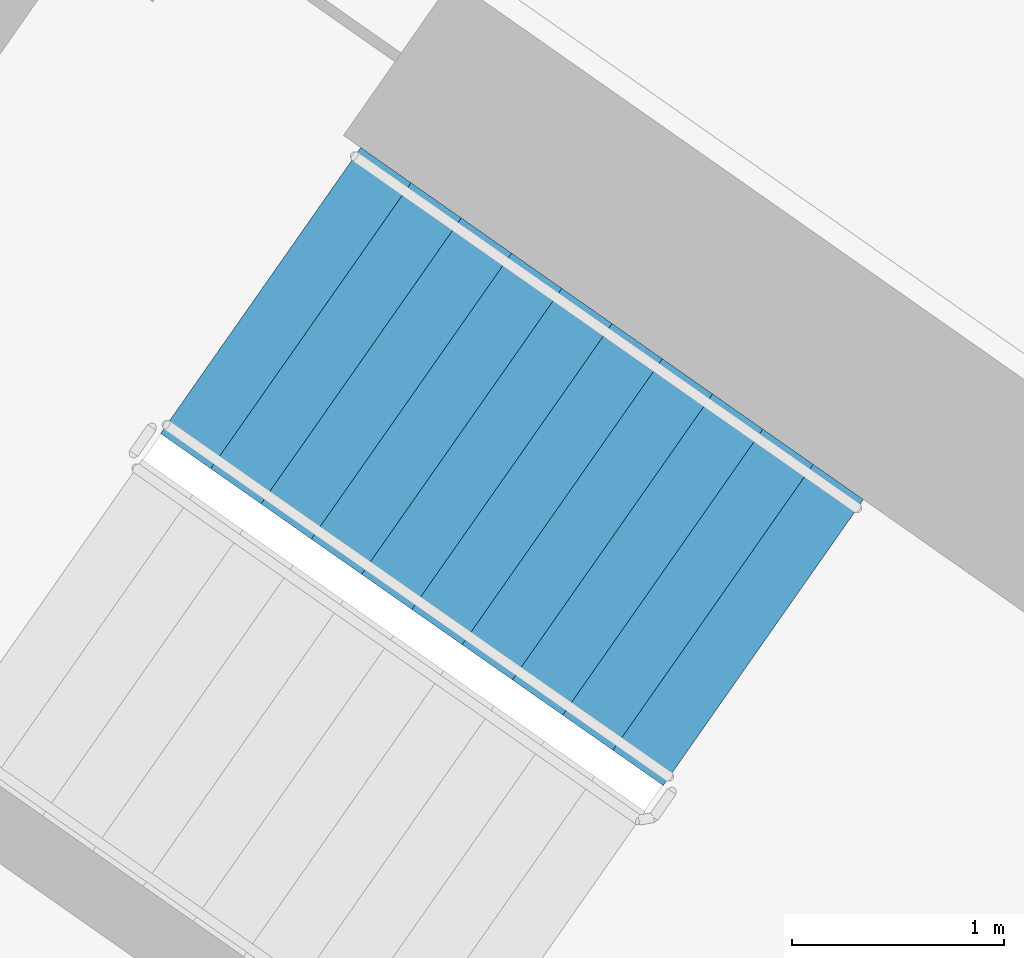
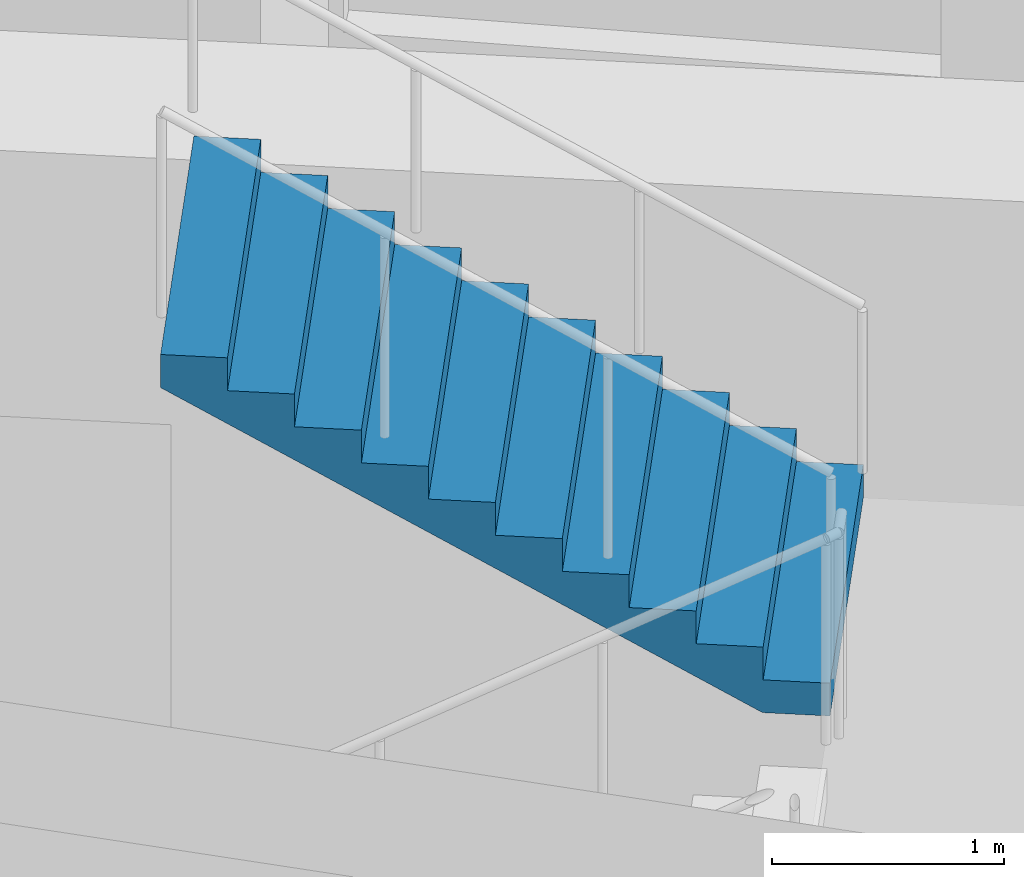
# One storey, part 13 of 30: 1 stair flight, 1 element without a shape of its own.
"""IFC4 building model written with IfcOpenShell, lengths in metres."""

from ifc_helpers import new_model, si_unit, direction, frame, origin, place, context, subcontext, project, spatial, faceted_brep, material, type_object, element, aggregate, save


model = new_model("IFC4")

# Units and contexts
model_context = context("Model", 3, precision=1e-05, world=origin(), true_north=direction((0.0, 1.0)))
body_context = subcontext(model_context, "Body", "Model", "MODEL_VIEW")
ifc_project = project(units=[si_unit("LENGTHUNIT", "METRE"), si_unit("AREAUNIT", "SQUARE_METRE"), si_unit("VOLUMEUNIT", "CUBIC_METRE"), si_unit("PLANEANGLEUNIT", "RADIAN"), si_unit("MASSUNIT", "GRAM", prefix="KILO")], contexts=[model_context])

# Site, building, storey
site_placement = place(None, origin())
site = spatial("IfcSite", under=ifc_project, at=site_placement, CompositionType="ELEMENT")
building_placement = place(site_placement, origin())
building = spatial("IfcBuilding", under=site, at=building_placement, Name="Qamariyya Broadcast Tower", CompositionType="ELEMENT")
storey_placement = place(building_placement, frame((0.0, 0.0, 98.699951171875)))
storey = spatial("IfcBuildingStorey", under=building, at=storey_placement, Name="L21", CompositionType="ELEMENT", Elevation=98.699951171875)

# Stair, stair flight
ifc_material = material(Name="Concrete C50/60", Category="concrete")
stair_type = type_object("IfcStairType", Name="Exit stair 22 risers of 173 mm", PredefinedType="HALF_TURN_STAIR", material=ifc_material)
stair_placement = place(storey_placement, origin())
stair = element("IfcStair", 1, at=stair_placement, inside=storey, type_object=stair_type, Name="L21 Stair W2", PredefinedType="HALF_TURN_STAIR")
stair_flight_type = type_object("IfcStairFlightType", Name="Exit stair flight 11 risers of 173 mm", PredefinedType="STRAIGHT", material=ifc_material)
stair_flight_placement = place(storey_placement, frame((-38.18310546875, -49.3486328125, 1.900146484375), z_axis=(0.0, 0.0, 1.0), x_axis=(-0.819152044289, 0.573576436351, 0.0)))
stair_flight = element("IfcStairFlight", 2, at=stair_flight_placement, type_object=stair_flight_type, Name="ST-W2 flight 2", NumberOfRisers=11, NumberOfTreads=10, PredefinedType="STRAIGHT", RiserHeight=0.172727273, TreadLength=0.29, context=body_context, shape_type="Brep", body=[
    faceted_brep([(0.0, 0.824951171875, 0.0), (0.0, 0.824951171875, 0.172607421875), (0.2900390625, 0.824951171875, 0.172607421875), (0.2900390625, 0.824951171875, 0.345458984375), (0.580078125, 0.824951171875, 0.345458984375), (0.580078125, 0.824951171875, 0.51806640625), (0.8701171875, 0.824951171875, 0.51806640625), (0.8701171875, 0.824951171875, 0.69091796875), (1.159912109375, 0.824951171875, 0.69091796875), (1.159912109375, 0.824951171875, 0.863525390625), (1.449951171875, 0.824951171875, 0.863525390625), (1.449951171875, 0.824951171875, 1.036376953125), (1.739990234375, 0.824951171875, 1.036376953125), (1.739990234375, 0.824951171875, 1.208984375), (2.030029296875, 0.824951171875, 1.208984375), (2.030029296875, 0.824951171875, 1.3818359375), (2.320068359375, 0.824951171875, 1.3818359375), (2.320068359375, 0.824951171875, 1.554443359375), (2.610107421875, 0.824951171875, 1.554443359375), (2.610107421875, 0.824951171875, 1.727294921875), (2.89990234375, 0.824951171875, 1.727294921875), (2.89990234375, 0.824951171875, 1.552734375), (0.29296875, 0.824951171875, 0.0), (0.29296875, -0.824951171875, 0.0), (2.89990234375, -0.824951171875, 1.552734375), (2.89990234375, -0.824951171875, 1.727294921875), (2.610107421875, -0.824951171875, 1.727294921875), (2.610107421875, -0.824951171875, 1.554443359375), (2.320068359375, -0.824951171875, 1.554443359375), (2.320068359375, -0.824951171875, 1.3818359375), (2.030029296875, -0.824951171875, 1.3818359375), (2.030029296875, -0.824951171875, 1.208984375), (1.739990234375, -0.824951171875, 1.208984375), (1.739990234375, -0.824951171875, 1.036376953125), (1.449951171875, -0.824951171875, 1.036376953125), (1.449951171875, -0.824951171875, 0.863525390625), (1.159912109375, -0.824951171875, 0.863525390625), (1.159912109375, -0.824951171875, 0.69091796875), (0.8701171875, -0.824951171875, 0.69091796875), (0.8701171875, -0.824951171875, 0.51806640625), (0.580078125, -0.824951171875, 0.51806640625), (0.580078125, -0.824951171875, 0.345458984375), (0.2900390625, -0.824951171875, 0.345458984375), (0.2900390625, -0.824951171875, 0.172607421875), (0.0, -0.824951171875, 0.172607421875), (0.0, -0.824951171875, 0.0), (0.0, 0.10009765625, 0.0), (0.0, 0.086669921875, 0.0), (0.0, 0.0732421875, 0.0), (0.0, 0.06005859375, 0.0), (0.0, 0.046630859375, 0.0), (0.0, 0.033447265625, 0.0), (0.0, 0.02001953125, 0.0), (0.0, 0.006591796875, 0.0), (0.0, -0.006591796875, 0.0), (0.0, -0.02001953125, 0.0), (0.0, -0.033447265625, 0.0), (0.0, -0.046630859375, 0.0), (0.0, -0.06005859375, 0.0), (0.0, -0.0732421875, 0.0), (0.0, -0.086669921875, 0.0), (0.0, -0.10009765625, 0.0), (0.0, -0.10009765625, 0.172607421875), (0.0, -0.086669921875, 0.172607421875), (0.0, -0.0732421875, 0.172607421875), (0.0, -0.06005859375, 0.172607421875), (0.0, -0.046630859375, 0.172607421875), (0.0, -0.033447265625, 0.172607421875), (0.0, -0.02001953125, 0.172607421875), (0.0, -0.006591796875, 0.172607421875), (0.0, 0.006591796875, 0.172607421875), (0.0, 0.02001953125, 0.172607421875), (0.0, 0.033447265625, 0.172607421875), (0.0, 0.046630859375, 0.172607421875), (0.0, 0.06005859375, 0.172607421875), (0.0, 0.0732421875, 0.172607421875), (0.0, 0.086669921875, 0.172607421875), (0.0, 0.10009765625, 0.172607421875), (0.2900390625, -0.10009765625, 0.172607421875), (0.2900390625, -0.086669921875, 0.172607421875), (0.2900390625, -0.0732421875, 0.172607421875), (0.2900390625, -0.06005859375, 0.172607421875), (0.2900390625, -0.046630859375, 0.172607421875), (0.2900390625, -0.033447265625, 0.172607421875), (0.2900390625, -0.02001953125, 0.172607421875), (0.2900390625, -0.006591796875, 0.172607421875), (0.2900390625, 0.006591796875, 0.172607421875), (0.2900390625, 0.02001953125, 0.172607421875), (0.2900390625, 0.033447265625, 0.172607421875), (0.2900390625, 0.046630859375, 0.172607421875), (0.2900390625, 0.06005859375, 0.172607421875), (0.2900390625, 0.0732421875, 0.172607421875), (0.2900390625, 0.086669921875, 0.172607421875), (0.2900390625, 0.10009765625, 0.172607421875), (0.2900390625, -0.10009765625, 0.345458984375), (0.2900390625, -0.086669921875, 0.345458984375), (0.2900390625, -0.0732421875, 0.345458984375), (0.2900390625, -0.06005859375, 0.345458984375), (0.2900390625, -0.046630859375, 0.345458984375), (0.2900390625, -0.033447265625, 0.345458984375), (0.2900390625, -0.02001953125, 0.345458984375), (0.2900390625, -0.006591796875, 0.345458984375), (0.2900390625, 0.006591796875, 0.345458984375), (0.2900390625, 0.02001953125, 0.345458984375), (0.2900390625, 0.033447265625, 0.345458984375), (0.2900390625, 0.046630859375, 0.345458984375), (0.2900390625, 0.06005859375, 0.345458984375), (0.2900390625, 0.0732421875, 0.345458984375), (0.2900390625, 0.086669921875, 0.345458984375), (0.2900390625, 0.10009765625, 0.345458984375), (0.580078125, -0.10009765625, 0.345458984375), (0.580078125, -0.086669921875, 0.345458984375), (0.580078125, -0.0732421875, 0.345458984375), (0.580078125, -0.06005859375, 0.345458984375), (0.580078125, -0.046630859375, 0.345458984375), (0.580078125, -0.033447265625, 0.345458984375), (0.580078125, -0.02001953125, 0.345458984375), (0.580078125, -0.006591796875, 0.345458984375), (0.580078125, 0.006591796875, 0.345458984375), (0.580078125, 0.02001953125, 0.345458984375), (0.580078125, 0.033447265625, 0.345458984375), (0.580078125, 0.046630859375, 0.345458984375), (0.580078125, 0.06005859375, 0.345458984375), (0.580078125, 0.0732421875, 0.345458984375), (0.580078125, 0.086669921875, 0.345458984375), (0.580078125, 0.10009765625, 0.345458984375), (0.580078125, -0.10009765625, 0.51806640625), (0.580078125, -0.086669921875, 0.51806640625), (0.580078125, -0.0732421875, 0.51806640625), (0.580078125, -0.06005859375, 0.51806640625), (0.580078125, -0.046630859375, 0.51806640625), (0.580078125, -0.033447265625, 0.51806640625), (0.580078125, -0.02001953125, 0.51806640625), (0.580078125, -0.006591796875, 0.51806640625), (0.580078125, 0.006591796875, 0.51806640625), (0.580078125, 0.02001953125, 0.51806640625), (0.580078125, 0.033447265625, 0.51806640625), (0.580078125, 0.046630859375, 0.51806640625), (0.580078125, 0.06005859375, 0.51806640625), (0.580078125, 0.0732421875, 0.51806640625), (0.580078125, 0.086669921875, 0.51806640625), (0.580078125, 0.10009765625, 0.51806640625), (0.8701171875, -0.10009765625, 0.51806640625), (0.8701171875, -0.086669921875, 0.51806640625), (0.8701171875, -0.0732421875, 0.51806640625), (0.8701171875, -0.06005859375, 0.51806640625), (0.8701171875, -0.046630859375, 0.51806640625), (0.8701171875, -0.033447265625, 0.51806640625), (0.8701171875, -0.02001953125, 0.51806640625), (0.8701171875, -0.006591796875, 0.51806640625), (0.8701171875, 0.006591796875, 0.51806640625), (0.8701171875, 0.02001953125, 0.51806640625), (0.8701171875, 0.033447265625, 0.51806640625), (0.8701171875, 0.046630859375, 0.51806640625), (0.8701171875, 0.06005859375, 0.51806640625), (0.8701171875, 0.0732421875, 0.51806640625), (0.8701171875, 0.086669921875, 0.51806640625), (0.8701171875, 0.10009765625, 0.51806640625), (0.8701171875, -0.10009765625, 0.69091796875), (0.8701171875, -0.086669921875, 0.69091796875), (0.8701171875, -0.0732421875, 0.69091796875), (0.8701171875, -0.06005859375, 0.69091796875), (0.8701171875, -0.046630859375, 0.69091796875), (0.8701171875, -0.033447265625, 0.69091796875), (0.8701171875, -0.02001953125, 0.69091796875), (0.8701171875, -0.006591796875, 0.69091796875), (0.8701171875, 0.006591796875, 0.69091796875), (0.8701171875, 0.02001953125, 0.69091796875), (0.8701171875, 0.033447265625, 0.69091796875), (0.8701171875, 0.046630859375, 0.69091796875), (0.8701171875, 0.06005859375, 0.69091796875), (0.8701171875, 0.0732421875, 0.69091796875), (0.8701171875, 0.086669921875, 0.69091796875), (0.8701171875, 0.10009765625, 0.69091796875), (1.159912109375, -0.10009765625, 0.69091796875), (1.159912109375, -0.086669921875, 0.69091796875), (1.159912109375, -0.0732421875, 0.69091796875), (1.159912109375, -0.06005859375, 0.69091796875), (1.159912109375, -0.046630859375, 0.69091796875), (1.159912109375, -0.033447265625, 0.69091796875), (1.159912109375, -0.02001953125, 0.69091796875), (1.159912109375, -0.006591796875, 0.69091796875), (1.159912109375, 0.006591796875, 0.69091796875), (1.159912109375, 0.02001953125, 0.69091796875), (1.159912109375, 0.033447265625, 0.69091796875), (1.159912109375, 0.046630859375, 0.69091796875), (1.159912109375, 0.06005859375, 0.69091796875), (1.159912109375, 0.0732421875, 0.69091796875), (1.159912109375, 0.086669921875, 0.69091796875), (1.159912109375, 0.10009765625, 0.69091796875), (1.159912109375, -0.10009765625, 0.863525390625), (1.159912109375, -0.086669921875, 0.863525390625), (1.159912109375, -0.0732421875, 0.863525390625), (1.159912109375, -0.06005859375, 0.863525390625), (1.159912109375, -0.046630859375, 0.863525390625), (1.159912109375, -0.033447265625, 0.863525390625), (1.159912109375, -0.02001953125, 0.863525390625), (1.159912109375, -0.006591796875, 0.863525390625), (1.159912109375, 0.006591796875, 0.863525390625), (1.159912109375, 0.02001953125, 0.863525390625), (1.159912109375, 0.033447265625, 0.863525390625), (1.159912109375, 0.046630859375, 0.863525390625), (1.159912109375, 0.06005859375, 0.863525390625), (1.159912109375, 0.0732421875, 0.863525390625), (1.159912109375, 0.086669921875, 0.863525390625), (1.159912109375, 0.10009765625, 0.863525390625), (1.449951171875, -0.10009765625, 0.863525390625), (1.449951171875, -0.086669921875, 0.863525390625), (1.449951171875, -0.0732421875, 0.863525390625), (1.449951171875, -0.06005859375, 0.863525390625), (1.449951171875, -0.046630859375, 0.863525390625), (1.449951171875, -0.033447265625, 0.863525390625), (1.449951171875, -0.02001953125, 0.863525390625), (1.449951171875, -0.006591796875, 0.863525390625), (1.449951171875, 0.006591796875, 0.863525390625), (1.449951171875, 0.02001953125, 0.863525390625), (1.449951171875, 0.033447265625, 0.863525390625), (1.449951171875, 0.046630859375, 0.863525390625), (1.449951171875, 0.06005859375, 0.863525390625), (1.449951171875, 0.0732421875, 0.863525390625), (1.449951171875, 0.086669921875, 0.863525390625), (1.449951171875, 0.10009765625, 0.863525390625), (1.449951171875, -0.10009765625, 1.036376953125), (1.449951171875, -0.086669921875, 1.036376953125), (1.449951171875, -0.0732421875, 1.036376953125), (1.449951171875, -0.06005859375, 1.036376953125), (1.449951171875, -0.046630859375, 1.036376953125), (1.449951171875, -0.033447265625, 1.036376953125), (1.449951171875, -0.02001953125, 1.036376953125), (1.449951171875, -0.006591796875, 1.036376953125), (1.449951171875, 0.006591796875, 1.036376953125), (1.449951171875, 0.02001953125, 1.036376953125), (1.449951171875, 0.033447265625, 1.036376953125), (1.449951171875, 0.046630859375, 1.036376953125), (1.449951171875, 0.06005859375, 1.036376953125), (1.449951171875, 0.0732421875, 1.036376953125), (1.449951171875, 0.086669921875, 1.036376953125), (1.449951171875, 0.10009765625, 1.036376953125), (1.739990234375, -0.10009765625, 1.036376953125), (1.739990234375, -0.086669921875, 1.036376953125), (1.739990234375, -0.0732421875, 1.036376953125), (1.739990234375, -0.06005859375, 1.036376953125), (1.739990234375, -0.046630859375, 1.036376953125), (1.739990234375, -0.033447265625, 1.036376953125), (1.739990234375, -0.02001953125, 1.036376953125), (1.739990234375, -0.006591796875, 1.036376953125), (1.739990234375, 0.006591796875, 1.036376953125), (1.739990234375, 0.02001953125, 1.036376953125), (1.739990234375, 0.033447265625, 1.036376953125), (1.739990234375, 0.046630859375, 1.036376953125), (1.739990234375, 0.06005859375, 1.036376953125), (1.739990234375, 0.0732421875, 1.036376953125), (1.739990234375, 0.086669921875, 1.036376953125), (1.739990234375, 0.10009765625, 1.036376953125), (1.739990234375, -0.10009765625, 1.208984375), (1.739990234375, -0.086669921875, 1.208984375), (1.739990234375, -0.0732421875, 1.208984375), (1.739990234375, -0.06005859375, 1.208984375), (1.739990234375, -0.046630859375, 1.208984375), (1.739990234375, -0.033447265625, 1.208984375), (1.739990234375, -0.02001953125, 1.208984375), (1.739990234375, -0.006591796875, 1.208984375), (1.739990234375, 0.006591796875, 1.208984375), (1.739990234375, 0.02001953125, 1.208984375), (1.739990234375, 0.033447265625, 1.208984375), (1.739990234375, 0.046630859375, 1.208984375), (1.739990234375, 0.06005859375, 1.208984375), (1.739990234375, 0.0732421875, 1.208984375), (1.739990234375, 0.086669921875, 1.208984375), (1.739990234375, 0.10009765625, 1.208984375), (2.030029296875, -0.10009765625, 1.208984375), (2.030029296875, -0.086669921875, 1.208984375), (2.030029296875, -0.0732421875, 1.208984375), (2.030029296875, -0.06005859375, 1.208984375), (2.030029296875, -0.046630859375, 1.208984375), (2.030029296875, -0.033447265625, 1.208984375), (2.030029296875, -0.02001953125, 1.208984375), (2.030029296875, -0.006591796875, 1.208984375), (2.030029296875, 0.006591796875, 1.208984375), (2.030029296875, 0.02001953125, 1.208984375), (2.030029296875, 0.033447265625, 1.208984375), (2.030029296875, 0.046630859375, 1.208984375), (2.030029296875, 0.06005859375, 1.208984375), (2.030029296875, 0.0732421875, 1.208984375), (2.030029296875, 0.086669921875, 1.208984375), (2.030029296875, 0.10009765625, 1.208984375), (2.030029296875, -0.10009765625, 1.3818359375), (2.030029296875, -0.086669921875, 1.3818359375), (2.030029296875, -0.0732421875, 1.3818359375), (2.030029296875, -0.06005859375, 1.3818359375), (2.030029296875, -0.046630859375, 1.3818359375), (2.030029296875, -0.033447265625, 1.3818359375), (2.030029296875, -0.02001953125, 1.3818359375), (2.030029296875, -0.006591796875, 1.3818359375), (2.030029296875, 0.006591796875, 1.3818359375), (2.030029296875, 0.02001953125, 1.3818359375), (2.030029296875, 0.033447265625, 1.3818359375), (2.030029296875, 0.046630859375, 1.3818359375), (2.030029296875, 0.06005859375, 1.3818359375), (2.030029296875, 0.0732421875, 1.3818359375), (2.030029296875, 0.086669921875, 1.3818359375), (2.030029296875, 0.10009765625, 1.3818359375), (2.320068359375, -0.10009765625, 1.3818359375), (2.320068359375, -0.086669921875, 1.3818359375), (2.320068359375, -0.0732421875, 1.3818359375), (2.320068359375, -0.06005859375, 1.3818359375), (2.320068359375, -0.046630859375, 1.3818359375), (2.320068359375, -0.033447265625, 1.3818359375), (2.320068359375, -0.02001953125, 1.3818359375), (2.320068359375, -0.006591796875, 1.3818359375), (2.320068359375, 0.006591796875, 1.3818359375), (2.320068359375, 0.02001953125, 1.3818359375), (2.320068359375, 0.033447265625, 1.3818359375), (2.320068359375, 0.046630859375, 1.3818359375), (2.320068359375, 0.06005859375, 1.3818359375), (2.320068359375, 0.0732421875, 1.3818359375), (2.320068359375, 0.086669921875, 1.3818359375), (2.320068359375, 0.10009765625, 1.3818359375), (2.320068359375, -0.10009765625, 1.554443359375), (2.320068359375, -0.086669921875, 1.554443359375), (2.320068359375, -0.0732421875, 1.554443359375), (2.320068359375, -0.06005859375, 1.554443359375), (2.320068359375, -0.046630859375, 1.554443359375), (2.320068359375, -0.033447265625, 1.554443359375), (2.320068359375, -0.02001953125, 1.554443359375), (2.320068359375, -0.006591796875, 1.554443359375), (2.320068359375, 0.006591796875, 1.554443359375), (2.320068359375, 0.02001953125, 1.554443359375), (2.320068359375, 0.033447265625, 1.554443359375), (2.320068359375, 0.046630859375, 1.554443359375), (2.320068359375, 0.06005859375, 1.554443359375), (2.320068359375, 0.0732421875, 1.554443359375), (2.320068359375, 0.086669921875, 1.554443359375), (2.320068359375, 0.10009765625, 1.554443359375), (2.610107421875, -0.10009765625, 1.554443359375), (2.610107421875, -0.086669921875, 1.554443359375), (2.610107421875, -0.0732421875, 1.554443359375), (2.610107421875, -0.06005859375, 1.554443359375), (2.610107421875, -0.046630859375, 1.554443359375), (2.610107421875, -0.033447265625, 1.554443359375), (2.610107421875, -0.02001953125, 1.554443359375), (2.610107421875, -0.006591796875, 1.554443359375), (2.610107421875, 0.006591796875, 1.554443359375), (2.610107421875, 0.02001953125, 1.554443359375), (2.610107421875, 0.033447265625, 1.554443359375), (2.610107421875, 0.046630859375, 1.554443359375), (2.610107421875, 0.06005859375, 1.554443359375), (2.610107421875, 0.0732421875, 1.554443359375), (2.610107421875, 0.086669921875, 1.554443359375), (2.610107421875, 0.10009765625, 1.554443359375), (2.610107421875, -0.10009765625, 1.727294921875), (2.610107421875, -0.086669921875, 1.727294921875), (2.610107421875, -0.0732421875, 1.727294921875), (2.610107421875, -0.06005859375, 1.727294921875), (2.610107421875, -0.046630859375, 1.727294921875), (2.610107421875, -0.033447265625, 1.727294921875), (2.610107421875, -0.02001953125, 1.727294921875), (2.610107421875, -0.006591796875, 1.727294921875), (2.610107421875, 0.006591796875, 1.727294921875), (2.610107421875, 0.02001953125, 1.727294921875), (2.610107421875, 0.033447265625, 1.727294921875), (2.610107421875, 0.046630859375, 1.727294921875), (2.610107421875, 0.06005859375, 1.727294921875), (2.610107421875, 0.0732421875, 1.727294921875), (2.610107421875, 0.086669921875, 1.727294921875), (2.610107421875, 0.10009765625, 1.727294921875), (2.89990234375, -0.10009765625, 1.727294921875), (2.89990234375, -0.086669921875, 1.727294921875), (2.89990234375, -0.0732421875, 1.727294921875), (2.89990234375, -0.06005859375, 1.727294921875), (2.89990234375, -0.046630859375, 1.727294921875), (2.89990234375, -0.033447265625, 1.727294921875), (2.89990234375, -0.02001953125, 1.727294921875), (2.89990234375, -0.006591796875, 1.727294921875), (2.89990234375, 0.006591796875, 1.727294921875), (2.89990234375, 0.02001953125, 1.727294921875), (2.89990234375, 0.033447265625, 1.727294921875), (2.89990234375, 0.046630859375, 1.727294921875), (2.89990234375, 0.06005859375, 1.727294921875), (2.89990234375, 0.0732421875, 1.727294921875), (2.89990234375, 0.086669921875, 1.727294921875), (2.89990234375, 0.10009765625, 1.727294921875), (2.89990234375, -0.10009765625, 1.552734375), (2.89990234375, -0.086669921875, 1.552734375), (2.89990234375, -0.0732421875, 1.552734375), (2.89990234375, -0.06005859375, 1.552734375), (2.89990234375, -0.046630859375, 1.552734375), (2.89990234375, -0.033447265625, 1.552734375), (2.89990234375, -0.02001953125, 1.552734375), (2.89990234375, -0.006591796875, 1.552734375), (2.89990234375, 0.006591796875, 1.552734375), (2.89990234375, 0.02001953125, 1.552734375), (2.89990234375, 0.033447265625, 1.552734375), (2.89990234375, 0.046630859375, 1.552734375), (2.89990234375, 0.06005859375, 1.552734375), (2.89990234375, 0.0732421875, 1.552734375), (2.89990234375, 0.086669921875, 1.552734375), (2.89990234375, 0.10009765625, 1.552734375), (0.29296875, -0.10009765625, 0.0), (0.29296875, -0.086669921875, 0.0), (0.29296875, -0.0732421875, 0.0), (0.29296875, -0.06005859375, 0.0), (0.29296875, -0.046630859375, 0.0), (0.29296875, -0.033447265625, 0.0), (0.29296875, -0.02001953125, 0.0), (0.29296875, -0.006591796875, 0.0), (0.29296875, 0.006591796875, 0.0), (0.29296875, 0.02001953125, 0.0), (0.29296875, 0.033447265625, 0.0), (0.29296875, 0.046630859375, 0.0), (0.29296875, 0.06005859375, 0.0), (0.29296875, 0.0732421875, 0.0), (0.29296875, 0.086669921875, 0.0), (0.29296875, 0.10009765625, 0.0)], [[[0, 1, 2, 3, 4, 5, 6, 7, 8, 9, 10, 11, 12, 13, 14, 15, 16, 17, 18, 19, 20, 21, 22]], [[23, 24, 25, 26, 27, 28, 29, 30, 31, 32, 33, 34, 35, 36, 37, 38, 39, 40, 41, 42, 43, 44, 45]], [[0, 46, 47, 48, 49, 50, 51, 52, 53, 54, 55, 56, 57, 58, 59, 60, 61, 45, 44, 62, 63, 64, 65, 66, 67, 68, 69, 70, 71, 72, 73, 74, 75, 76, 77, 1]], [[1, 77, 76, 75, 74, 73, 72, 71, 70, 69, 68, 67, 66, 65, 64, 63, 62, 44, 43, 78, 79, 80, 81, 82, 83, 84, 85, 86, 87, 88, 89, 90, 91, 92, 93, 2]], [[2, 93, 92, 91, 90, 89, 88, 87, 86, 85, 84, 83, 82, 81, 80, 79, 78, 43, 42, 94, 95, 96, 97, 98, 99, 100, 101, 102, 103, 104, 105, 106, 107, 108, 109, 3]], [[3, 109, 108, 107, 106, 105, 104, 103, 102, 101, 100, 99, 98, 97, 96, 95, 94, 42, 41, 110, 111, 112, 113, 114, 115, 116, 117, 118, 119, 120, 121, 122, 123, 124, 125, 4]], [[4, 125, 124, 123, 122, 121, 120, 119, 118, 117, 116, 115, 114, 113, 112, 111, 110, 41, 40, 126, 127, 128, 129, 130, 131, 132, 133, 134, 135, 136, 137, 138, 139, 140, 141, 5]], [[5, 141, 140, 139, 138, 137, 136, 135, 134, 133, 132, 131, 130, 129, 128, 127, 126, 40, 39, 142, 143, 144, 145, 146, 147, 148, 149, 150, 151, 152, 153, 154, 155, 156, 157, 6]], [[6, 157, 156, 155, 154, 153, 152, 151, 150, 149, 148, 147, 146, 145, 144, 143, 142, 39, 38, 158, 159, 160, 161, 162, 163, 164, 165, 166, 167, 168, 169, 170, 171, 172, 173, 7]], [[7, 173, 172, 171, 170, 169, 168, 167, 166, 165, 164, 163, 162, 161, 160, 159, 158, 38, 37, 174, 175, 176, 177, 178, 179, 180, 181, 182, 183, 184, 185, 186, 187, 188, 189, 8]], [[8, 189, 188, 187, 186, 185, 184, 183, 182, 181, 180, 179, 178, 177, 176, 175, 174, 37, 36, 190, 191, 192, 193, 194, 195, 196, 197, 198, 199, 200, 201, 202, 203, 204, 205, 9]], [[9, 205, 204, 203, 202, 201, 200, 199, 198, 197, 196, 195, 194, 193, 192, 191, 190, 36, 35, 206, 207, 208, 209, 210, 211, 212, 213, 214, 215, 216, 217, 218, 219, 220, 221, 10]], [[10, 221, 220, 219, 218, 217, 216, 215, 214, 213, 212, 211, 210, 209, 208, 207, 206, 35, 34, 222, 223, 224, 225, 226, 227, 228, 229, 230, 231, 232, 233, 234, 235, 236, 237, 11]], [[11, 237, 236, 235, 234, 233, 232, 231, 230, 229, 228, 227, 226, 225, 224, 223, 222, 34, 33, 238, 239, 240, 241, 242, 243, 244, 245, 246, 247, 248, 249, 250, 251, 252, 253, 12]], [[12, 253, 252, 251, 250, 249, 248, 247, 246, 245, 244, 243, 242, 241, 240, 239, 238, 33, 32, 254, 255, 256, 257, 258, 259, 260, 261, 262, 263, 264, 265, 266, 267, 268, 269, 13]], [[13, 269, 268, 267, 266, 265, 264, 263, 262, 261, 260, 259, 258, 257, 256, 255, 254, 32, 31, 270, 271, 272, 273, 274, 275, 276, 277, 278, 279, 280, 281, 282, 283, 284, 285, 14]], [[14, 285, 284, 283, 282, 281, 280, 279, 278, 277, 276, 275, 274, 273, 272, 271, 270, 31, 30, 286, 287, 288, 289, 290, 291, 292, 293, 294, 295, 296, 297, 298, 299, 300, 301, 15]], [[15, 301, 300, 299, 298, 297, 296, 295, 294, 293, 292, 291, 290, 289, 288, 287, 286, 30, 29, 302, 303, 304, 305, 306, 307, 308, 309, 310, 311, 312, 313, 314, 315, 316, 317, 16]], [[16, 317, 316, 315, 314, 313, 312, 311, 310, 309, 308, 307, 306, 305, 304, 303, 302, 29, 28, 318, 319, 320, 321, 322, 323, 324, 325, 326, 327, 328, 329, 330, 331, 332, 333, 17]], [[17, 333, 332, 331, 330, 329, 328, 327, 326, 325, 324, 323, 322, 321, 320, 319, 318, 28, 27, 334, 335, 336, 337, 338, 339, 340, 341, 342, 343, 344, 345, 346, 347, 348, 349, 18]], [[18, 349, 348, 347, 346, 345, 344, 343, 342, 341, 340, 339, 338, 337, 336, 335, 334, 27, 26, 350, 351, 352, 353, 354, 355, 356, 357, 358, 359, 360, 361, 362, 363, 364, 365, 19]], [[19, 365, 364, 363, 362, 361, 360, 359, 358, 357, 356, 355, 354, 353, 352, 351, 350, 26, 25, 366, 367, 368, 369, 370, 371, 372, 373, 374, 375, 376, 377, 378, 379, 380, 381, 20]], [[20, 381, 380, 379, 378, 377, 376, 375, 374, 373, 372, 371, 370, 369, 368, 367, 366, 25, 24, 382, 383, 384, 385, 386, 387, 388, 389, 390, 391, 392, 393, 394, 395, 396, 397, 21]], [[21, 397, 396, 395, 394, 393, 392, 391, 390, 389, 388, 387, 386, 385, 384, 383, 382, 24, 23, 398, 399, 400, 401, 402, 403, 404, 405, 406, 407, 408, 409, 410, 411, 412, 413, 22]], [[22, 413, 412, 411, 410, 409, 408, 407, 406, 405, 404, 403, 402, 401, 400, 399, 398, 23, 45, 61, 60, 59, 58, 57, 56, 55, 54, 53, 52, 51, 50, 49, 48, 47, 46, 0]]]),
])
aggregate(stair, [stair_flight])

save(model, "model.ifc")
